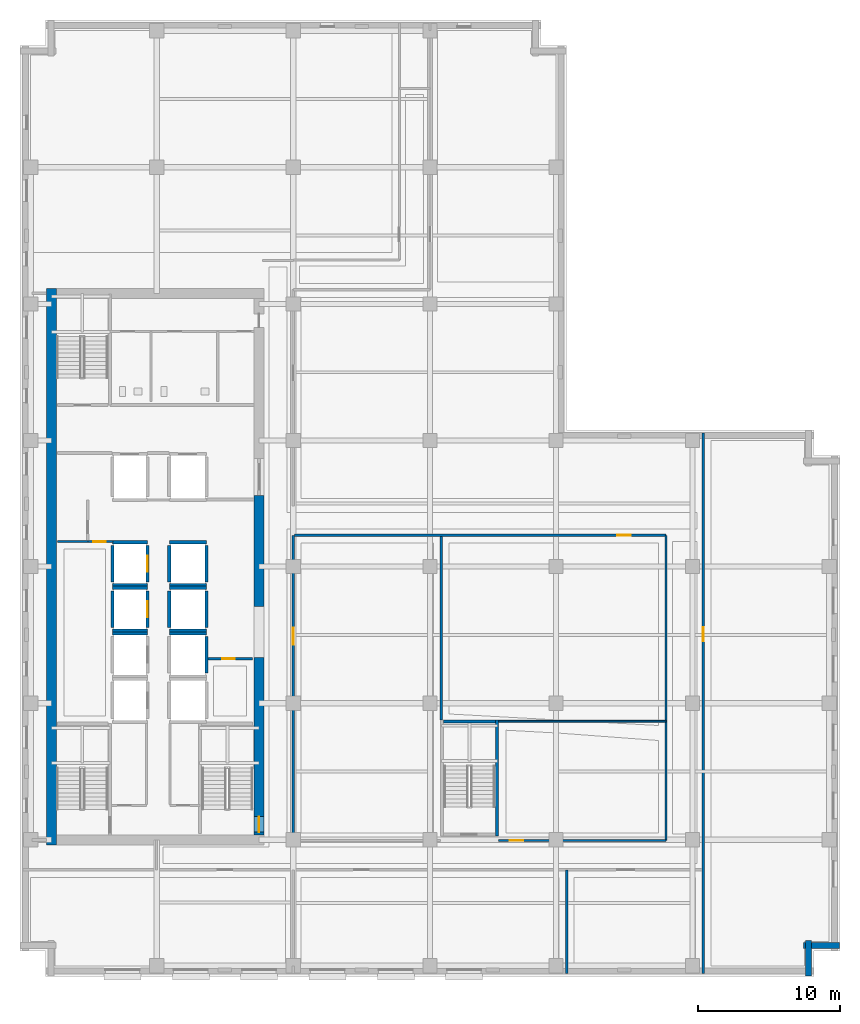
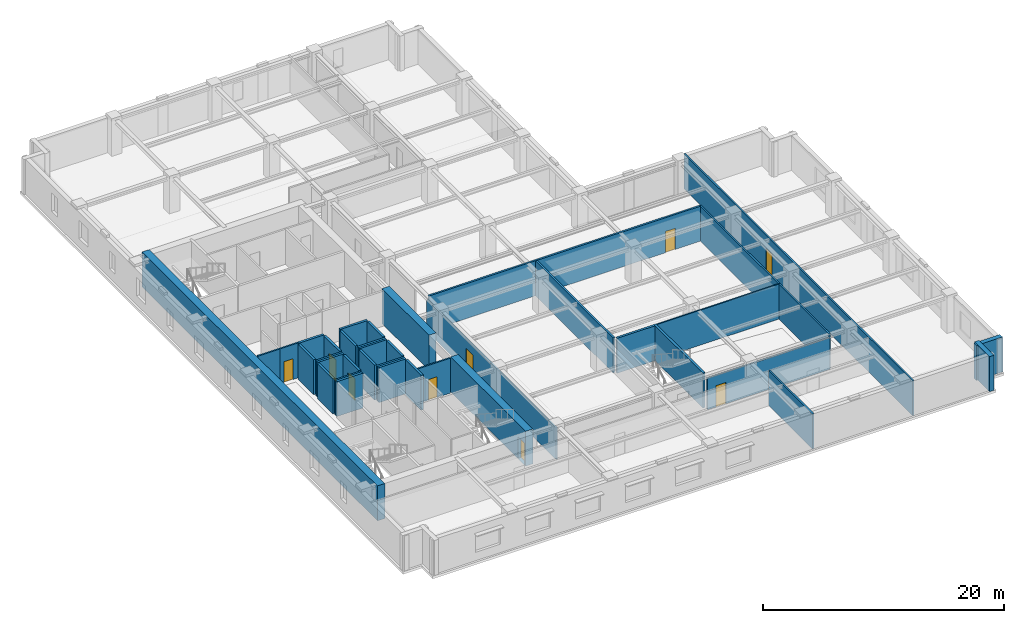
# One storey, part 4 of 12: 37 walls, 9 doors, 9 openings.
"""IFC4 building model written with IfcOpenShell, lengths in metres."""

from ifc_helpers import new_model, si_unit, direction, frame, frame_2d, origin, place, context, subcontext, project, spatial, rectangle, extrude, material, layer, layer_set, type_object, element, fill, save


model = new_model("IFC4")

# Units and contexts
model_context = context("Model", 3, precision=1e-05, world=origin(), true_north=direction((0.0, 1.0)))
body_context = subcontext(model_context, "Body", "Model", "MODEL_VIEW")
ifc_project = project(units=[si_unit("LENGTHUNIT", "METRE"), si_unit("AREAUNIT", "SQUARE_METRE"), si_unit("VOLUMEUNIT", "CUBIC_METRE"), si_unit("PLANEANGLEUNIT", "RADIAN"), si_unit("MASSUNIT", "GRAM", prefix="KILO")], contexts=[model_context])

# Site, building, storey
site_placement = place(None, origin())
site = spatial("IfcSite", under=ifc_project, at=site_placement, CompositionType="ELEMENT")
building_placement = place(site_placement, origin())
building = spatial("IfcBuilding", under=site, at=building_placement, Name="Norrvale University Quadrangle", CompositionType="ELEMENT")
storey_placement = place(building_placement, frame((0.0, 0.0, 105.199951171875)))
storey = spatial("IfcBuildingStorey", under=building, at=storey_placement, Name="L26", CompositionType="ELEMENT", Elevation=105.199951171875)

# Walls
ifc_material_1 = material(Name="Buff Norman Clay Brick Masonry", Category="masonry")
ifc_layer_1 = layer(ifc_material_1, 0.419921875, Name="Buff Norman Clay Brick Masonry")
ifc_layer_set_1 = layer_set([ifc_layer_1], Name="Buff Norman Clay Brick Masonry")
wall_type_1 = type_object("IfcWallType", Name="Wall Buff Brick 420", PredefinedType="SOLIDWALL", material=ifc_layer_set_1)
for number, where, z_axis, x_axis, name in (
    (1, (55.409912109375, 0.0400390625, 0.0), (0.0, 0.0, 1.0), (0.0, 1.0, 0.0), "Exterior Brick Facade Wall L26-02.1"),
    (2, (55.06005859375, 2.18994140625, 0.0), (0.0, 0.0, 1.0), (1.0, 0.0, 0.0), "Exterior Brick Facade Wall L26-03.1"),
):
    element("IfcWall", number, at=place(storey_placement, frame(where, z_axis=z_axis, x_axis=x_axis)), inside=storey, type_object=wall_type_1, Name=name, PredefinedType="SOLIDWALL", context=body_context, shape_type="SweptSolid", body=[
        extrude(rectangle(XDim=2.5, YDim=0.419921875, at=frame_2d((1.25, 0.0))), origin(), (0.0, 0.0, 1.0), 3.5400390625),
    ])
ifc_material_2 = material(Name="Concrete C60/75", Category="concrete")
ifc_layer_2 = layer(ifc_material_2, 0.699951171875, Name="Concrete C60/75")
ifc_layer_set_2 = layer_set([ifc_layer_2], Name="Concrete C60/75")
wall_type_2 = type_object("IfcWallType", Name="Wall Core 700", PredefinedType="SHEAR", material=ifc_layer_set_2)
wall_1_placement = place(storey_placement, frame((2.199951171875, 9.25, 0.0), z_axis=(0.0, 0.0, 1.0), x_axis=(0.0, 1.0, 0.0)))
element("IfcWall", 3, at=wall_1_placement, inside=storey, type_object=wall_type_2, Name="Tower Core Shear Wall L26-W", PredefinedType="SHEAR", context=body_context, shape_type="SweptSolid", body=[
    extrude(rectangle(XDim=39.10009765625, YDim=0.699951171875, at=frame_2d((19.550048828125, 0.0))), origin(), (0.0, 0.0, 1.0), 3.5400390625),
])

# Wall, opening, door
wall_2_placement = place(storey_placement, frame((16.800048828125, 9.949951171875, 0.0), z_axis=(0.0, 0.0, 1.0), x_axis=(0.0, 1.0, 0.0)))
wall_2 = element("IfcWall", 4, at=wall_2_placement, inside=storey, type_object=wall_type_2, Name="Tower Core Shear Wall L26-E1", PredefinedType="SHEAR", context=body_context, shape_type="SweptSolid", body=[
    extrude(rectangle(XDim=12.449951171875, YDim=0.699951171875, at=frame_2d((6.22509765625, 0.0))), origin(), (0.0, 0.0, 1.0), 3.5400390625),
])
opening_1_placement = place(wall_2_placement, frame((0.18994140625, 0.0, 0.0)))
opening_1 = element("IfcOpeningElement", 5, at=opening_1_placement, cuts=wall_2, Name="Opening D02", PredefinedType="OPENING", context=body_context, shape_type="SweptSolid", body=[
    extrude(rectangle(XDim=1.10009765625, YDim=2.199951171875, at=frame_2d((0.550048828125, 1.10009765625))), frame((0.0, 0.362060546875, 0.0), z_axis=(0.0, -1.0, 0.0), x_axis=(1.0, 0.0, 0.0)), (0.0, 0.0, 1.0), 0.723876953125),
])
ifc_material_3 = material(Name="Hollow Steel 350W Fire Door", Category="steel")
door_type_1 = type_object("IfcDoorType", Name="Door Stair Exit 1100x2200", OperationType="NOTDEFINED", PredefinedType="DOOR", material=ifc_material_3)
door_1_placement = place(opening_1_placement, origin())
door_1 = element("IfcDoor", 6, at=door_1_placement, inside=storey, type_object=door_type_1, Name="Door Stair Exit 1100x2200 DR-L26-ST03", OperationType="SINGLE_SWING_LEFT", OverallHeight=2.199951171875, OverallWidth=1.10009765625, PredefinedType="DOOR", context=body_context, shape_type="SweptSolid", body=[
    extrude(rectangle(XDim=1.10009765625, YDim=2.199951171875, at=frame_2d((0.550048828125, 1.10009765625))), frame((0.0, 0.02490234375, 0.0), z_axis=(0.0, -1.0, 0.0), x_axis=(1.0, 0.0, 0.0)), (0.0, 0.0, 1.0), 0.050048828125),
])
fill(opening_1, door_1)

# Walls
wall_3_placement = place(storey_placement, frame((16.800048828125, 26.0, 0.0), z_axis=(0.0, 0.0, 1.0), x_axis=(0.0, 1.0, 0.0)))
element("IfcWall", 7, at=wall_3_placement, inside=storey, type_object=wall_type_2, Name="Tower Core Shear Wall L26-E2", PredefinedType="SHEAR", context=body_context, shape_type="SweptSolid", body=[
    extrude(rectangle(XDim=7.800048828125, YDim=0.699951171875, at=frame_2d((3.89990234375, 0.0))), origin(), (0.0, 0.0, 1.0), 3.5400390625),
])
ifc_material_4 = material(Name="Standard Academic Gypsum Partition")
ifc_layer_3 = layer(ifc_material_4, 0.125, Name="Standard Academic Gypsum Partition")
ifc_layer_set_3 = layer_set([ifc_layer_3], Name="Standard Academic Gypsum Partition")
wall_type_3 = type_object("IfcWallType", Name="Wall Gypsum Academic 125", PredefinedType="PARTITIONING", material=ifc_layer_set_3)
wall_4_placement = place(storey_placement, frame((33.6201171875, 17.93994140625, 0.0), z_axis=(0.0, 0.0, 1.0), x_axis=(1.0, 0.0, 0.0)))
element("IfcWall", 8, at=wall_4_placement, inside=storey, type_object=wall_type_3, Name="Interior Partition WL-L26-ISLH", PredefinedType="PARTITIONING", context=body_context, shape_type="SweptSolid", body=[
    extrude(rectangle(XDim=11.7548828125, YDim=0.125, at=frame_2d((5.87744140625, 0.0))), origin(), (0.0, 0.0, 1.0), 3.5400390625),
])

# Wall, opening, door
ifc_material_5 = material(Name="Fire-Rated Gypsum Stud Partition")
ifc_layer_4 = layer(ifc_material_5, 0.14990234375, Name="Fire-Rated Gypsum Stud Partition")
ifc_layer_set_4 = layer_set([ifc_layer_4], Name="Fire-Rated Gypsum Stud Partition")
wall_type_4 = type_object("IfcWallType", Name="Wall Gypsum Corridor 150", PredefinedType="PARTITIONING", material=ifc_layer_set_4)
wall_5_placement = place(storey_placement, frame((13.22509765625, 22.320068359375, 0.0), z_axis=(0.0, 0.0, 1.0), x_axis=(1.0, 0.0, 0.0)))
wall_5 = element("IfcWall", 9, at=wall_5_placement, inside=storey, type_object=wall_type_4, Name="Interior Partition WL-L26-JAN-N", PredefinedType="PARTITIONING", context=body_context, shape_type="SweptSolid", body=[
    extrude(rectangle(XDim=3.119873046875, YDim=0.14990234375, at=frame_2d((1.56005859375, 0.0))), origin(), (0.0, 0.0, 1.0), 3.5400390625),
])
opening_2_placement = place(wall_5_placement, frame((1.0, 0.0, 0.0)))
opening_2 = element("IfcOpeningElement", 10, at=opening_2_placement, cuts=wall_5, Name="Opening D10", PredefinedType="OPENING", context=body_context, shape_type="SweptSolid", body=[
    extrude(rectangle(XDim=0.85009765625, YDim=2.10009765625, at=frame_2d((0.425048828125, 1.050048828125))), frame((0.0, 0.0869140625, 0.0), z_axis=(0.0, -1.0, 0.0), x_axis=(1.0, 0.0, 0.0)), (0.0, 0.0, 1.0), 0.173828125),
])
ifc_material_6 = material(Name="Hollow Steel 350W Riser Fire Door", Category="steel")
door_type_2 = type_object("IfcDoorType", Name="Door Riser 850x2100", OperationType="NOTDEFINED", PredefinedType="DOOR", material=ifc_material_6)
door_2_placement = place(opening_2_placement, origin())
door_2 = element("IfcDoor", 11, at=door_2_placement, inside=storey, type_object=door_type_2, Name="Door Riser 850x2100 DR-L26-JAN", OperationType="SINGLE_SWING_LEFT", OverallHeight=2.10009765625, OverallWidth=0.85009765625, PredefinedType="DOOR", context=body_context, shape_type="SweptSolid", body=[
    extrude(rectangle(XDim=0.85009765625, YDim=2.10009765625, at=frame_2d((0.425048828125, 1.050048828125))), frame((0.0, 0.02490234375, 0.0), z_axis=(0.0, -1.0, 0.0), x_axis=(1.0, 0.0, 0.0)), (0.0, 0.0, 1.0), 0.050048828125),
])
fill(opening_2, door_2)

wall_6_placement = place(storey_placement, frame((4.760009765625, 30.550048828125, 0.0), z_axis=(0.0, 0.0, 1.0), x_axis=(1.0, 0.0, 0.0)))
wall_6 = element("IfcWall", 12, at=wall_6_placement, inside=storey, type_object=wall_type_4, Name="Interior Partition WL-L26-WST-N", PredefinedType="PARTITIONING", context=body_context, shape_type="SweptSolid", body=[
    extrude(rectangle(XDim=1.760009765625, YDim=0.14990234375, at=frame_2d((0.8798828125, 0.0))), origin(), (0.0, 0.0, 1.0), 3.5400390625),
])
opening_3_placement = place(wall_6_placement, frame((0.39990234375, 0.0, 0.0)))
opening_3 = element("IfcOpeningElement", 13, at=opening_3_placement, cuts=wall_6, Name="Opening D10", PredefinedType="OPENING", context=body_context, shape_type="SweptSolid", body=[
    extrude(rectangle(XDim=0.85009765625, YDim=2.10009765625, at=frame_2d((0.425048828125, 1.050048828125))), frame((0.0, 0.0869140625, 0.0), z_axis=(0.0, -1.0, 0.0), x_axis=(1.0, 0.0, 0.0)), (0.0, 0.0, 1.0), 0.173828125),
])
door_3_placement = place(opening_3_placement, origin())
door_3 = element("IfcDoor", 14, at=door_3_placement, inside=storey, type_object=door_type_2, Name="Door Riser 850x2100 DR-L26-WST", OperationType="SINGLE_SWING_RIGHT", OverallHeight=2.10009765625, OverallWidth=0.85009765625, PredefinedType="DOOR", context=body_context, shape_type="SweptSolid", body=[
    extrude(rectangle(XDim=0.85009765625, YDim=2.10009765625, at=frame_2d((0.425048828125, 1.050048828125))), frame((0.0, 0.02490234375, 0.0), z_axis=(0.0, -1.0, 0.0), x_axis=(1.0, 0.0, 0.0)), (0.0, 0.0, 1.0), 0.050048828125),
])
fill(opening_3, door_3)

# Wall
wall_7_placement = place(storey_placement, frame((2.64990234375, 30.550048828125, 0.0), z_axis=(0.0, 0.0, 1.0), x_axis=(1.0, 0.0, 0.0)))
element("IfcWall", 15, at=wall_7_placement, inside=storey, type_object=wall_type_4, Name="Interior Partition WL-L26-WST-N2", PredefinedType="PARTITIONING", context=body_context, shape_type="SweptSolid", body=[
    extrude(rectangle(XDim=2.110107421875, YDim=0.14990234375, at=frame_2d((1.05517578125, 0.0))), origin(), (0.0, 0.0, 1.0), 3.5400390625),
])

# Wall, opening, door
wall_8_placement = place(storey_placement, frame((48.0, 0.219970703125, 0.0), z_axis=(0.0, 0.0, 1.0), x_axis=(0.0, 1.0, 0.0)))
wall_8 = element("IfcWall", 16, at=wall_8_placement, inside=storey, type_object=wall_type_4, Name="Interior Partition WL-L26-ECW", PredefinedType="PARTITIONING", context=body_context, shape_type="SweptSolid", body=[
    extrude(rectangle(XDim=37.9599609375, YDim=0.14990234375, at=frame_2d((18.97998046875, 0.0))), origin(), (0.0, 0.0, 1.0), 3.5400390625),
])
opening_4_placement = place(wall_8_placement, frame((23.330078125, 0.0, 0.0)))
opening_4 = element("IfcOpeningElement", 17, at=opening_4_placement, cuts=wall_8, Name="Opening D04", PredefinedType="OPENING", context=body_context, shape_type="SweptSolid", body=[
    extrude(rectangle(XDim=1.0, YDim=2.199951171875, at=frame_2d((0.5, 1.10009765625))), frame((0.0, 0.0869140625, 0.0), z_axis=(0.0, -1.0, 0.0), x_axis=(1.0, 0.0, 0.0)), (0.0, 0.0, 1.0), 0.173828125),
])
ifc_material_7 = material(Name="Solid-Core Oak Fire Door", Category="wood")
door_type_3 = type_object("IfcDoorType", Name="Door Corridor 1000x2200", OperationType="NOTDEFINED", PredefinedType="DOOR", material=ifc_material_7)
door_4_placement = place(opening_4_placement, origin())
door_4 = element("IfcDoor", 18, at=door_4_placement, inside=storey, type_object=door_type_3, Name="Door Corridor 1000x2200 DR-L26-E01", OperationType="SINGLE_SWING_RIGHT", OverallHeight=2.199951171875, OverallWidth=1.0, PredefinedType="DOOR", context=body_context, shape_type="SweptSolid", body=[
    extrude(rectangle(XDim=1.0, YDim=2.199951171875, at=frame_2d((0.5, 1.10009765625))), frame((0.0, 0.02490234375, 0.0), z_axis=(0.0, -1.0, 0.0), x_axis=(1.0, 0.0, 0.0)), (0.0, 0.0, 1.0), 0.050048828125),
])
fill(opening_4, door_4)

wall_9_placement = place(storey_placement, frame((19.199951171875, 9.550048828125, 0.0), z_axis=(0.0, 0.0, 1.0), x_axis=(0.0, 1.0, 0.0)))
wall_9 = element("IfcWall", 19, at=wall_9_placement, inside=storey, type_object=wall_type_4, Name="Interior Partition WL-L26-ISLW", PredefinedType="PARTITIONING", context=body_context, shape_type="SweptSolid", body=[
    extrude(rectangle(XDim=21.449951171875, YDim=0.14990234375, at=frame_2d((10.72509765625, 0.0))), origin(), (0.0, 0.0, 1.0), 3.18408203125),
])
opening_5_placement = place(wall_9_placement, frame((13.75, 0.0, 0.0)))
opening_5 = element("IfcOpeningElement", 20, at=opening_5_placement, cuts=wall_9, Name="Opening D05", PredefinedType="OPENING", context=body_context, shape_type="SweptSolid", body=[
    extrude(rectangle(XDim=1.199951171875, YDim=2.199951171875, at=frame_2d((0.60009765625, 1.10009765625))), frame((0.0, 0.0869140625, 0.0), z_axis=(0.0, -1.0, 0.0), x_axis=(1.0, 0.0, 0.0)), (0.0, 0.0, 1.0), 0.173828125),
])
ifc_material_8 = material(Name="Acoustic Oak Classroom Door", Category="wood")
door_type_4 = type_object("IfcDoorType", Name="Door Classroom 1200x2200", OperationType="NOTDEFINED", PredefinedType="DOOR", material=ifc_material_8)
door_5_placement = place(opening_5_placement, origin())
door_5 = element("IfcDoor", 21, at=door_5_placement, inside=storey, type_object=door_type_4, Name="Door Classroom 1200x2200 DR-L26-IW1", OperationType="SINGLE_SWING_LEFT", OverallHeight=2.199951171875, OverallWidth=1.199951171875, PredefinedType="DOOR", context=body_context, shape_type="SweptSolid", body=[
    extrude(rectangle(XDim=1.199951171875, YDim=2.199951171875, at=frame_2d((0.60009765625, 1.10009765625))), frame((0.0, 0.02490234375, 0.0), z_axis=(0.0, -1.0, 0.0), x_axis=(1.0, 0.0, 0.0)), (0.0, 0.0, 1.0), 0.050048828125),
])
fill(opening_5, door_5)

wall_10_placement = place(storey_placement, frame((33.6201171875, 9.550048828125, 0.0), z_axis=(0.0, 0.0, 1.0), x_axis=(1.0, 0.0, 0.0)))
wall_10 = element("IfcWall", 22, at=wall_10_placement, inside=storey, type_object=wall_type_4, Name="Interior Partition WL-L26-ISLS2", PredefinedType="PARTITIONING", context=body_context, shape_type="SweptSolid", body=[
    extrude(rectangle(XDim=11.7548828125, YDim=0.14990234375, at=frame_2d((5.87744140625, 0.0))), origin(), (0.0, 0.0, 1.0), 3.18408203125),
])
opening_6_placement = place(wall_10_placement, frame((0.800048828125, 0.0, 0.0)))
opening_6 = element("IfcOpeningElement", 23, at=opening_6_placement, cuts=wall_10, Name="Opening D07", PredefinedType="OPENING", context=body_context, shape_type="SweptSolid", body=[
    extrude(rectangle(XDim=0.949951171875, YDim=2.14990234375, at=frame_2d((0.47509765625, 1.074951171875))), frame((0.0, 0.0869140625, 0.0), z_axis=(0.0, -1.0, 0.0), x_axis=(1.0, 0.0, 0.0)), (0.0, 0.0, 1.0), 0.173828125),
])
ifc_material_9 = material(Name="Solid-Core Maple Door", Category="wood")
door_type_5 = type_object("IfcDoorType", Name="Door Office 950x2150", OperationType="NOTDEFINED", PredefinedType="DOOR", material=ifc_material_9)
door_6_placement = place(opening_6_placement, origin())
door_6 = element("IfcDoor", 24, at=door_6_placement, inside=storey, type_object=door_type_5, Name="Door Office 950x2150 DR-L26-ISE", OperationType="SINGLE_SWING_LEFT", OverallHeight=2.14990234375, OverallWidth=0.949951171875, PredefinedType="DOOR", context=body_context, shape_type="SweptSolid", body=[
    extrude(rectangle(XDim=0.949951171875, YDim=2.14990234375, at=frame_2d((0.47509765625, 1.074951171875))), frame((0.0, 0.02490234375, 0.0), z_axis=(0.0, -1.0, 0.0), x_axis=(1.0, 0.0, 0.0)), (0.0, 0.0, 1.0), 0.050048828125),
])
fill(opening_6, door_6)

# Walls
wall_11_placement = place(storey_placement, frame((45.375, 9.550048828125, 0.0), z_axis=(0.0, 0.0, 1.0), x_axis=(0.0, 1.0, 0.0)))
element("IfcWall", 25, at=wall_11_placement, inside=storey, type_object=wall_type_4, Name="Interior Partition WL-L26-ISLE", PredefinedType="PARTITIONING", context=body_context, shape_type="SweptSolid", body=[
    extrude(rectangle(XDim=21.449951171875, YDim=0.14990234375, at=frame_2d((10.72509765625, 0.0))), origin(), (0.0, 0.0, 1.0), 3.5400390625),
])
ifc_material_10 = material(Name="Acoustic Double-Stud Gypsum Partition")
ifc_layer_5 = layer(ifc_material_10, 0.179931640625, Name="Acoustic Double-Stud Gypsum Partition")
ifc_layer_set_5 = layer_set([ifc_layer_5], Name="Acoustic Double-Stud Gypsum Partition")
wall_type_5 = type_object("IfcWallType", Name="Wall Gypsum Lecture 180", PredefinedType="PARTITIONING", material=ifc_layer_set_5)
wall_12_placement = place(storey_placement, frame((29.580078125, 18.02490234375, 0.0), z_axis=(0.0, 0.0, 1.0), x_axis=(0.0, 1.0, 0.0)))
element("IfcWall", 26, at=wall_12_placement, inside=storey, type_object=wall_type_5, Name="Interior Partition WL-L26-ISLD", PredefinedType="PARTITIONING", context=body_context, shape_type="SweptSolid", body=[
    extrude(rectangle(XDim=12.880126953125, YDim=0.179931640625, at=frame_2d((6.43994140625, 0.0))), origin(), (0.0, 0.0, 1.0), 3.5400390625),
])

# Wall, opening, door
wall_13_placement = place(storey_placement, frame((19.280029296875, 31.0, 0.0), z_axis=(0.0, 0.0, 1.0), x_axis=(1.0, 0.0, 0.0)))
wall_13 = element("IfcWall", 27, at=wall_13_placement, inside=storey, type_object=wall_type_5, Name="Interior Partition WL-L26-ISLN", PredefinedType="PARTITIONING", context=body_context, shape_type="SweptSolid", body=[
    extrude(rectangle(XDim=26.094970703125, YDim=0.179931640625, at=frame_2d((13.04736328125, 0.0))), origin(), (0.0, 0.0, 1.0), 3.5400390625),
])
opening_7_placement = place(wall_13_placement, frame((22.669921875, 0.0, 0.0)))
opening_7 = element("IfcOpeningElement", 28, at=opening_7_placement, cuts=wall_13, Name="Opening D07", PredefinedType="OPENING", context=body_context, shape_type="SweptSolid", body=[
    extrude(rectangle(XDim=0.949951171875, YDim=2.14990234375, at=frame_2d((0.47509765625, 1.074951171875))), frame((0.0, 0.10205078125, 0.0), z_axis=(0.0, -1.0, 0.0), x_axis=(1.0, 0.0, 0.0)), (0.0, 0.0, 1.0), 0.203857421875),
])
door_7_placement = place(opening_7_placement, origin())
door_7 = element("IfcDoor", 29, at=door_7_placement, inside=storey, type_object=door_type_5, Name="Door Office 950x2150 DR-L26-ILH", OperationType="SINGLE_SWING_RIGHT", OverallHeight=2.14990234375, OverallWidth=0.949951171875, PredefinedType="DOOR", context=body_context, shape_type="SweptSolid", body=[
    extrude(rectangle(XDim=0.949951171875, YDim=2.14990234375, at=frame_2d((0.47509765625, 1.074951171875))), frame((0.0, 0.02490234375, 0.0), z_axis=(0.0, -1.0, 0.0), x_axis=(1.0, 0.0, 0.0)), (0.0, 0.0, 1.0), 0.050048828125),
])
fill(opening_7, door_7)

# Walls
ifc_material_11 = material(Name="Sanitary Chase Gypsum Partition")
ifc_layer_6 = layer(ifc_material_11, 0.1650390625, Name="Sanitary Chase Gypsum Partition")
ifc_layer_set_6 = layer_set([ifc_layer_6], Name="Sanitary Chase Gypsum Partition")
wall_type_6 = type_object("IfcWallType", Name="Wall Gypsum Sanitary 165", PredefinedType="PLUMBINGWALL", material=ifc_layer_set_6)
wall_14_placement = place(storey_placement, frame((38.39990234375, 0.219970703125, 0.0), z_axis=(0.0, 0.0, 1.0), x_axis=(0.0, 1.0, 0.0)))
element("IfcWall", 30, at=wall_14_placement, inside=storey, type_object=wall_type_6, Name="Interior Partition WL-L26-SP02", PredefinedType="PLUMBINGWALL", context=body_context, shape_type="SweptSolid", body=[
    extrude(rectangle(XDim=7.280029296875, YDim=0.1650390625, at=frame_2d((3.64013671875, 0.0))), origin(), (0.0, 0.0, 1.0), 3.5400390625),
])
ifc_material_12 = material(Name="Concrete Blockwork 20 MPa Fire Shaft", Category="masonry")
ifc_layer_7 = layer(ifc_material_12, 0.219970703125, Name="Concrete Blockwork 20 MPa Fire Shaft")
ifc_layer_set_7 = layer_set([ifc_layer_7], Name="Concrete Blockwork 20 MPa Fire Shaft")
wall_type_7 = type_object("IfcWallType", Name="Wall Shaft 220", PredefinedType="SOLIDWALL", material=ifc_layer_set_7)
wall_15_placement = place(storey_placement, frame((33.510009765625, 9.8798828125, 0.0), z_axis=(0.0, 0.0, 1.0), x_axis=(0.0, 1.0, 0.0)))
element("IfcWall", 31, at=wall_15_placement, inside=storey, type_object=wall_type_7, Name="Stair ST-04 East Shaft Wall L26", PredefinedType="SOLIDWALL", context=body_context, shape_type="SweptSolid", body=[
    extrude(rectangle(XDim=8.14013671875, YDim=0.219970703125, at=frame_2d((4.070068359375, 0.0))), origin(), (0.0, 0.0, 1.0), 3.5400390625),
])
wall_16_placement = place(storey_placement, frame((29.75, 17.909912109375, 0.0), z_axis=(0.0, 0.0, 1.0), x_axis=(1.0, 0.0, 0.0)))
element("IfcWall", 32, at=wall_16_placement, inside=storey, type_object=wall_type_7, Name="Stair ST-04 North Shaft Wall L26", PredefinedType="SOLIDWALL", context=body_context, shape_type="SweptSolid", body=[
    extrude(rectangle(XDim=3.64990234375, YDim=0.219970703125, at=frame_2d((1.824951171875, 0.0))), origin(), (0.0, 0.0, 1.0), 3.5400390625),
])
wall_17_placement = place(storey_placement, frame((6.489990234375, 24.110107421875, 0.0), z_axis=(0.0, 0.0, 1.0), x_axis=(1.0, 0.0, 0.0)))
element("IfcWall", 33, at=wall_17_placement, inside=storey, type_object=wall_type_7, Name="Hoistway PL-02 North Wall L26", PredefinedType="SOLIDWALL", context=body_context, shape_type="SweptSolid", body=[
    extrude(rectangle(XDim=2.469970703125, YDim=0.219970703125, at=frame_2d((1.23486328125, 0.0))), origin(), (0.0, 0.0, 1.0), 3.5400390625),
])
wall_18_placement = place(storey_placement, frame((6.489990234375, 24.510009765625, 0.0), z_axis=(0.0, 0.0, 1.0), x_axis=(0.0, 1.0, 0.0)))
element("IfcWall", 34, at=wall_18_placement, inside=storey, type_object=wall_type_7, Name="Hoistway PL-03 West Wall L26", PredefinedType="SOLIDWALL", context=body_context, shape_type="SweptSolid", body=[
    extrude(rectangle(XDim=2.580078125, YDim=0.219970703125, at=frame_2d((1.2900390625, 0.0))), origin(), (0.0, 0.0, 1.0), 3.5400390625),
])

# Wall, opening, door
wall_19_placement = place(storey_placement, frame((8.9599609375, 24.510009765625, 0.0), z_axis=(0.0, 0.0, 1.0), x_axis=(0.0, 1.0, 0.0)))
wall_19 = element("IfcWall", 35, at=wall_19_placement, inside=storey, type_object=wall_type_7, Name="Hoistway PL-03 East Wall L26", PredefinedType="SOLIDWALL", context=body_context, shape_type="SweptSolid", body=[
    extrude(rectangle(XDim=2.580078125, YDim=0.219970703125, at=frame_2d((1.2900390625, 0.0))), origin(), (0.0, 0.0, 1.0), 3.5400390625),
])
opening_8_placement = place(wall_19_placement, frame((0.739990234375, 0.0, 0.0)))
opening_8 = element("IfcOpeningElement", 36, at=opening_8_placement, cuts=wall_19, Name="Opening LD1", PredefinedType="OPENING", context=body_context, shape_type="SweptSolid", body=[
    extrude(rectangle(XDim=1.10009765625, YDim=2.199951171875, at=frame_2d((0.550048828125, 1.10009765625))), frame((0.0, 0.1220703125, 0.0), z_axis=(0.0, -1.0, 0.0), x_axis=(1.0, 0.0, 0.0)), (0.0, 0.0, 1.0), 0.243896484375),
])
ifc_material_13 = material(Name="Stainless Steel 316L Lift Landing Door", Category="steel")
door_type_6 = type_object("IfcDoorType", Name="Door Lift Landing 1100x2200", OperationType="DOUBLE_DOOR_SLIDING", PredefinedType="DOOR", material=ifc_material_13)
door_8_placement = place(opening_8_placement, origin())
door_8 = element("IfcDoor", 37, at=door_8_placement, inside=storey, type_object=door_type_6, Name="Elevator Landing Door DR-L26-PL-03", OperationType="DOUBLE_DOOR_SLIDING", OverallHeight=2.199951171875, OverallWidth=1.10009765625, PredefinedType="DOOR", context=body_context, shape_type="SweptSolid", body=[
    extrude(rectangle(XDim=1.10009765625, YDim=2.199951171875, at=frame_2d((0.550048828125, 1.10009765625))), frame((0.0, 0.02490234375, 0.0), z_axis=(0.0, -1.0, 0.0), x_axis=(1.0, 0.0, 0.0)), (0.0, 0.0, 1.0), 0.050048828125),
])
fill(opening_8, door_8)

# Walls
for number, where, z_axis, x_axis, name in (
    (38, (6.489990234375, 24.2900390625, 0.0), (0.0, 0.0, 1.0), (1.0, 0.0, 0.0), "Hoistway PL-03 South Wall L26"),
    (39, (6.489990234375, 27.31005859375, 0.0), (0.0, 0.0, 1.0), (1.0, 0.0, 0.0), "Hoistway PL-03 North Wall L26"),
):
    element("IfcWall", number, at=place(storey_placement, frame(where, z_axis=z_axis, x_axis=x_axis)), inside=storey, type_object=wall_type_7, Name=name, PredefinedType="SOLIDWALL", context=body_context, shape_type="SweptSolid", body=[
        extrude(rectangle(XDim=2.469970703125, YDim=0.219970703125, at=frame_2d((1.23486328125, 0.0))), origin(), (0.0, 0.0, 1.0), 3.5400390625),
    ])
wall_20_placement = place(storey_placement, frame((6.489990234375, 27.7099609375, 0.0), z_axis=(0.0, 0.0, 1.0), x_axis=(0.0, 1.0, 0.0)))
element("IfcWall", 40, at=wall_20_placement, inside=storey, type_object=wall_type_7, Name="Hoistway PL-04 West Wall L26", PredefinedType="SOLIDWALL", context=body_context, shape_type="SweptSolid", body=[
    extrude(rectangle(XDim=2.580078125, YDim=0.219970703125, at=frame_2d((1.2900390625, 0.0))), origin(), (0.0, 0.0, 1.0), 3.5400390625),
])

# Wall, opening, door
wall_21_placement = place(storey_placement, frame((8.9599609375, 27.7099609375, 0.0), z_axis=(0.0, 0.0, 1.0), x_axis=(0.0, 1.0, 0.0)))
wall_21 = element("IfcWall", 41, at=wall_21_placement, inside=storey, type_object=wall_type_7, Name="Hoistway PL-04 East Wall L26", PredefinedType="SOLIDWALL", context=body_context, shape_type="SweptSolid", body=[
    extrude(rectangle(XDim=2.580078125, YDim=0.219970703125, at=frame_2d((1.2900390625, 0.0))), origin(), (0.0, 0.0, 1.0), 3.5400390625),
])
opening_9_placement = place(wall_21_placement, frame((0.739990234375, 0.0, 0.0)))
opening_9 = element("IfcOpeningElement", 42, at=opening_9_placement, cuts=wall_21, Name="Opening LD1", PredefinedType="OPENING", context=body_context, shape_type="SweptSolid", body=[
    extrude(rectangle(XDim=1.10009765625, YDim=2.199951171875, at=frame_2d((0.550048828125, 1.10009765625))), frame((0.0, 0.1220703125, 0.0), z_axis=(0.0, -1.0, 0.0), x_axis=(1.0, 0.0, 0.0)), (0.0, 0.0, 1.0), 0.243896484375),
])
door_9_placement = place(opening_9_placement, origin())
door_9 = element("IfcDoor", 43, at=door_9_placement, inside=storey, type_object=door_type_6, Name="Elevator Landing Door DR-L26-PL-04", OperationType="DOUBLE_DOOR_SLIDING", OverallHeight=2.199951171875, OverallWidth=1.10009765625, PredefinedType="DOOR", context=body_context, shape_type="SweptSolid", body=[
    extrude(rectangle(XDim=1.10009765625, YDim=2.199951171875, at=frame_2d((0.550048828125, 1.10009765625))), frame((0.0, 0.02490234375, 0.0), z_axis=(0.0, -1.0, 0.0), x_axis=(1.0, 0.0, 0.0)), (0.0, 0.0, 1.0), 0.050048828125),
])
fill(opening_9, door_9)

# Walls
for number, where, z_axis, x_axis, name in (
    (44, (6.489990234375, 27.489990234375, 0.0), (0.0, 0.0, 1.0), (1.0, 0.0, 0.0), "Hoistway PL-04 South Wall L26"),
    (45, (6.489990234375, 30.510009765625, 0.0), (0.0, 0.0, 1.0), (1.0, 0.0, 0.0), "Hoistway PL-04 North Wall L26"),
):
    element("IfcWall", number, at=place(storey_placement, frame(where, z_axis=z_axis, x_axis=x_axis)), inside=storey, type_object=wall_type_7, Name=name, PredefinedType="SOLIDWALL", context=body_context, shape_type="SweptSolid", body=[
        extrude(rectangle(XDim=2.469970703125, YDim=0.219970703125, at=frame_2d((1.23486328125, 0.0))), origin(), (0.0, 0.0, 1.0), 3.5400390625),
    ])
wall_22_placement = place(storey_placement, frame((13.110107421875, 21.31005859375, 0.0), z_axis=(0.0, 0.0, 1.0), x_axis=(0.0, 1.0, 0.0)))
element("IfcWall", 46, at=wall_22_placement, inside=storey, type_object=wall_type_7, Name="Hoistway PL-06 East Wall L26", PredefinedType="SOLIDWALL", context=body_context, shape_type="SweptSolid", body=[
    extrude(rectangle(XDim=2.579833984375, YDim=0.219970703125, at=frame_2d((1.2900390625, 0.0))), origin(), (0.0, 0.0, 1.0), 3.5400390625),
])
wall_23_placement = place(storey_placement, frame((10.489990234375, 24.110107421875, 0.0), z_axis=(0.0, 0.0, 1.0), x_axis=(1.0, 0.0, 0.0)))
element("IfcWall", 47, at=wall_23_placement, inside=storey, type_object=wall_type_7, Name="Hoistway PL-06 North Wall L26", PredefinedType="SOLIDWALL", context=body_context, shape_type="SweptSolid", body=[
    extrude(rectangle(XDim=2.6201171875, YDim=0.219970703125, at=frame_2d((1.31005859375, 0.0))), origin(), (0.0, 0.0, 1.0), 3.5400390625),
])
for number, where, z_axis, x_axis, name in (
    (48, (10.489990234375, 24.510009765625, 0.0), (0.0, 0.0, 1.0), (0.0, 1.0, 0.0), "Hoistway PL-07 West Wall L26"),
    (49, (13.110107421875, 24.510009765625, 0.0), (0.0, 0.0, 1.0), (0.0, 1.0, 0.0), "Hoistway PL-07 East Wall L26"),
):
    element("IfcWall", number, at=place(storey_placement, frame(where, z_axis=z_axis, x_axis=x_axis)), inside=storey, type_object=wall_type_7, Name=name, PredefinedType="SOLIDWALL", context=body_context, shape_type="SweptSolid", body=[
        extrude(rectangle(XDim=2.580078125, YDim=0.219970703125, at=frame_2d((1.2900390625, 0.0))), origin(), (0.0, 0.0, 1.0), 3.5400390625),
    ])
for number, where, z_axis, x_axis, name in (
    (50, (10.489990234375, 24.2900390625, 0.0), (0.0, 0.0, 1.0), (1.0, 0.0, 0.0), "Hoistway PL-07 South Wall L26"),
    (51, (10.489990234375, 27.31005859375, 0.0), (0.0, 0.0, 1.0), (1.0, 0.0, 0.0), "Hoistway PL-07 North Wall L26"),
):
    element("IfcWall", number, at=place(storey_placement, frame(where, z_axis=z_axis, x_axis=x_axis)), inside=storey, type_object=wall_type_7, Name=name, PredefinedType="SOLIDWALL", context=body_context, shape_type="SweptSolid", body=[
        extrude(rectangle(XDim=2.6201171875, YDim=0.219970703125, at=frame_2d((1.31005859375, 0.0))), origin(), (0.0, 0.0, 1.0), 3.5400390625),
    ])
for number, where, z_axis, x_axis, name in (
    (52, (10.489990234375, 27.7099609375, 0.0), (0.0, 0.0, 1.0), (0.0, 1.0, 0.0), "Hoistway PL-08 West Wall L26"),
    (53, (13.110107421875, 27.7099609375, 0.0), (0.0, 0.0, 1.0), (0.0, 1.0, 0.0), "Hoistway PL-08 East Wall L26"),
):
    element("IfcWall", number, at=place(storey_placement, frame(where, z_axis=z_axis, x_axis=x_axis)), inside=storey, type_object=wall_type_7, Name=name, PredefinedType="SOLIDWALL", context=body_context, shape_type="SweptSolid", body=[
        extrude(rectangle(XDim=2.580078125, YDim=0.219970703125, at=frame_2d((1.2900390625, 0.0))), origin(), (0.0, 0.0, 1.0), 3.5400390625),
    ])
for number, where, z_axis, x_axis, name in (
    (54, (10.489990234375, 27.489990234375, 0.0), (0.0, 0.0, 1.0), (1.0, 0.0, 0.0), "Hoistway PL-08 South Wall L26"),
    (55, (10.489990234375, 30.510009765625, 0.0), (0.0, 0.0, 1.0), (1.0, 0.0, 0.0), "Hoistway PL-08 North Wall L26"),
):
    element("IfcWall", number, at=place(storey_placement, frame(where, z_axis=z_axis, x_axis=x_axis)), inside=storey, type_object=wall_type_7, Name=name, PredefinedType="SOLIDWALL", context=body_context, shape_type="SweptSolid", body=[
        extrude(rectangle(XDim=2.6201171875, YDim=0.219970703125, at=frame_2d((1.31005859375, 0.0))), origin(), (0.0, 0.0, 1.0), 3.5400390625),
    ])

save(model, "model.ifc")
